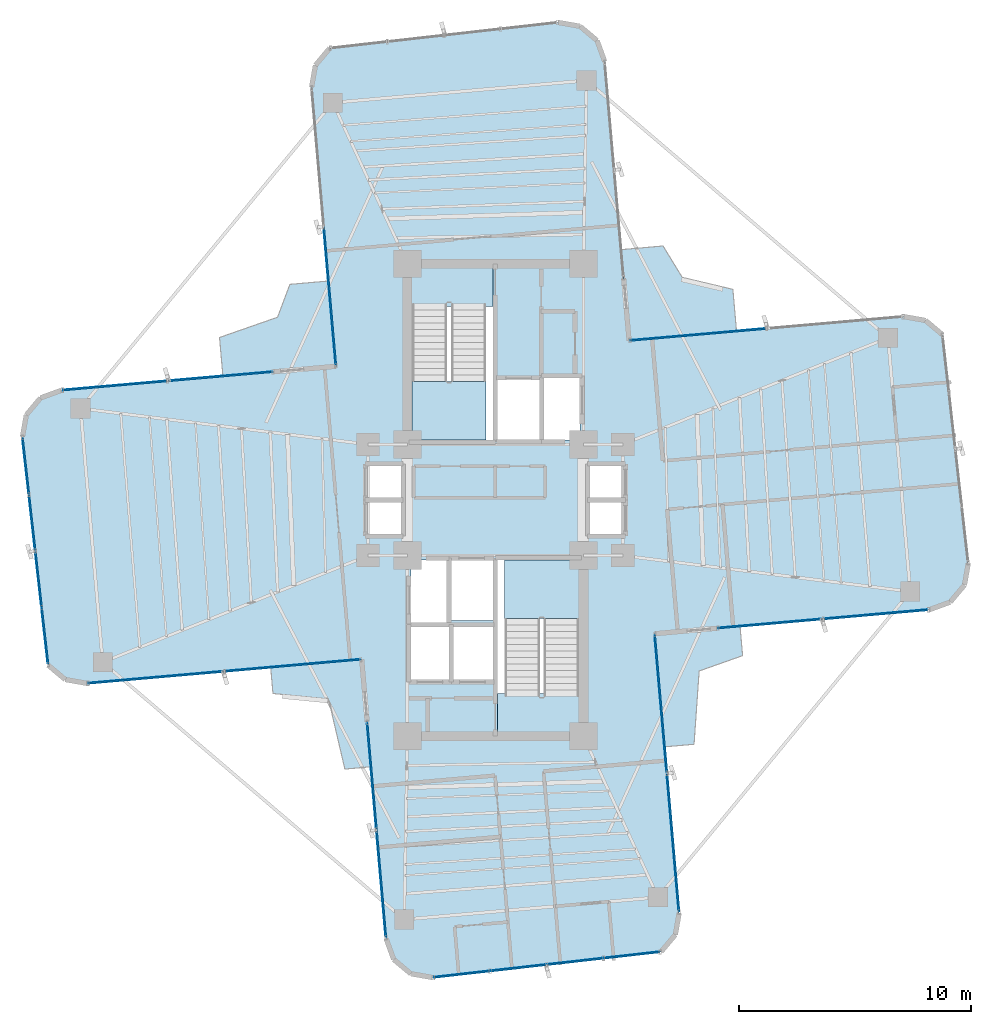
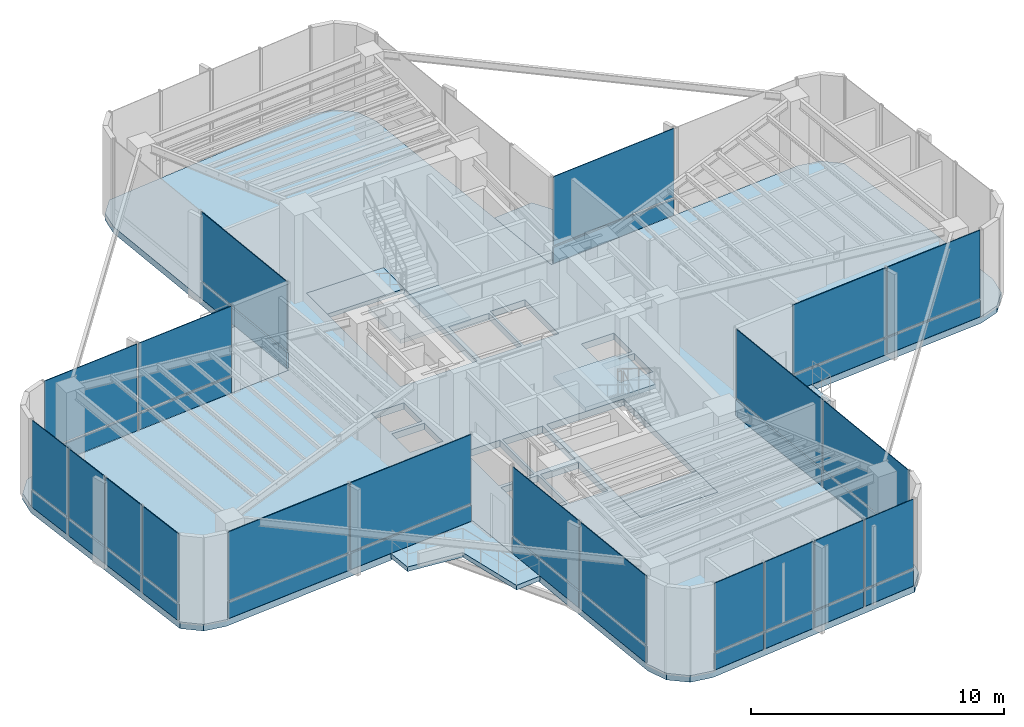
# One storey, part 13 of 19: 40 plates, 9 slabs, 11 elements without a shape of their own.
"""IFC4 building model written with IfcOpenShell, lengths in metres."""

from ifc_helpers import new_model, si_unit, direction, frame, origin, origin_2d, place, context, subcontext, project, spatial, polyline, rectangle, outline, extrude, source, transform, mapped, material, layer, layer_set, type_object, element, aggregate, save


model = new_model("IFC4")

# Units and contexts
model_context = context("Model", 3, precision=1e-05, world=origin(), true_north=direction((0.0, 1.0)))
body_context = subcontext(model_context, "Body", "Model", "MODEL_VIEW")
ifc_project = project(units=[si_unit("LENGTHUNIT", "METRE"), si_unit("AREAUNIT", "SQUARE_METRE"), si_unit("VOLUMEUNIT", "CUBIC_METRE"), si_unit("PLANEANGLEUNIT", "RADIAN"), si_unit("MASSUNIT", "GRAM", prefix="KILO")], contexts=[model_context])

# Site, building, storey
site_placement = place(None, origin())
site = spatial("IfcSite", under=ifc_project, at=site_placement, CompositionType="ELEMENT")
building_placement = place(site_placement, origin())
building = spatial("IfcBuilding", under=site, at=building_placement, Name="Sahyath Konkavel Grand Hotel", CompositionType="ELEMENT")
storey_placement = place(building_placement, frame((0.0, 0.0, 142.75)))
storey = spatial("IfcBuildingStorey", under=building, at=storey_placement, Name="L39", CompositionType="ELEMENT", Elevation=142.75)

# Slabs
ifc_material_1 = material(Name="Concrete C50/60", Category="concrete")
ifc_layer_1 = layer(ifc_material_1, 0.320068359375)
ifc_layer_set_1 = layer_set([ifc_layer_1], Name="Concrete C50/60")
slab_type_1 = type_object("IfcSlabType", Name="SLB-320", PredefinedType="FLOOR", material=ifc_layer_set_1)
slab_1_placement = place(storey_placement, frame((0.0, 0.0, -0.320068359375)))
element("IfcSlab", 1, at=slab_1_placement, inside=storey, type_object=slab_type_1, Name="L39 Structural Floor Slab", PredefinedType="FLOOR", context=body_context, shape_type="SweptSolid", body=[
    extrude(outline(polyline([(6.87939453125, -5.7724609375), (18.73388671875, -4.735107421875), (19.6337890625, -4.40771484375), (20.24951171875, -3.674072265625), (20.415771484375, -2.73095703125), (19.3037109375, 7.134521484375), (18.5703125, 7.75), (17.627197265625, 7.91650390625), (5.7724609375, 6.87939453125), (4.7177734375, 18.93310546875), (4.390380859375, 19.8330078125), (3.65673828125, 20.44873046875), (2.713623046875, 20.614990234375), (-7.152099609375, 19.5029296875), (-7.767578125, 18.769287109375), (-7.933837890625, 17.826416015625), (-6.87939453125, 5.7724609375), (-18.73388671875, 4.735107421875), (-19.6337890625, 4.40771484375), (-20.24951171875, 3.674072265625), (-20.415771484375, 2.73095703125), (-19.3037109375, -7.134521484375), (-18.5703125, -7.75), (-17.627197265625, -7.91650390625), (-5.7724609375, -6.87939453125), (-4.7177734375, -18.93310546875), (-4.390380859375, -19.8330078125), (-3.65673828125, -20.44873046875), (-2.713623046875, -20.614990234375), (7.152099609375, -19.5029296875), (7.767578125, -18.769287109375), (7.933837890625, -17.826416015625), (6.87939453125, -5.7724609375)]), holes=[polyline([(-3.6201171875, 2.580078125), (-0.10009765625, 2.580078125), (-0.10009765625, 10.02001953125), (-3.6201171875, 10.02001953125), (-3.6201171875, 2.580078125)]), polyline([(0.10009765625, -10.02001953125), (3.6201171875, -10.02001953125), (3.6201171875, -2.580078125), (0.10009765625, -2.580078125), (0.10009765625, -10.02001953125)]), polyline([(0.10009765625, 2.60009765625), (1.949951171875, 2.60009765625), (1.949951171875, 5.199951171875), (0.10009765625, 5.199951171875), (0.10009765625, 2.60009765625)]), polyline([(-1.949951171875, -5.199951171875), (-0.10009765625, -5.199951171875), (-0.10009765625, -2.60009765625), (-1.949951171875, -2.60009765625), (-1.949951171875, -5.199951171875)]), polyline([(2.050048828125, 2.60009765625), (3.64990234375, 2.60009765625), (3.64990234375, 5.300048828125), (2.050048828125, 5.300048828125), (2.050048828125, 2.60009765625)]), polyline([(-3.64990234375, -5.300048828125), (-2.050048828125, -5.300048828125), (-2.050048828125, -2.60009765625), (-3.64990234375, -2.60009765625), (-3.64990234375, -5.300048828125)]), polyline([(-3.64990234375, -7.75), (-1.949951171875, -7.75), (-1.949951171875, -5.449951171875), (-3.64990234375, -5.449951171875), (-3.64990234375, -7.75)]), polyline([(-1.85009765625, -7.75), (-0.10009765625, -7.75), (-0.10009765625, -5.449951171875), (-1.85009765625, -5.449951171875), (-1.85009765625, -7.75)]), polyline([(4.050048828125, 0.080078125), (5.550048828125, 0.080078125), (5.550048828125, 1.5400390625), (4.050048828125, 1.5400390625), (4.050048828125, 0.080078125)]), polyline([(4.050048828125, -1.5400390625), (5.550048828125, -1.5400390625), (5.550048828125, -0.080078125), (4.050048828125, -0.080078125), (4.050048828125, -1.5400390625)]), polyline([(-5.550048828125, 0.080078125), (-4.050048828125, 0.080078125), (-4.050048828125, 1.5400390625), (-5.550048828125, 1.5400390625), (-5.550048828125, 0.080078125)]), polyline([(-5.550048828125, -1.5400390625), (-4.050048828125, -1.5400390625), (-4.050048828125, -0.080078125), (-5.550048828125, -0.080078125), (-5.550048828125, -1.5400390625)])]), origin(), (0.0, 0.0, 1.0), 0.320068359375),
])
ifc_material_2 = material(Name="Concrete C40/50", Category="concrete")
ifc_layer_2 = layer(ifc_material_2, 0.219970703125)
ifc_layer_set_2 = layer_set([ifc_layer_2], Name="Concrete C40/50")
slab_type_2 = type_object("IfcSlabType", Name="SLB-BALCONY-220", PredefinedType="FLOOR", material=ifc_layer_set_2)
slab_2_placement = place(storey_placement, frame((0.0, 0.0, -0.219970703125)))
element("IfcSlab", 2, at=slab_2_placement, inside=storey, type_object=slab_type_2, Name="L39 Winter-Garden Balcony NE", PredefinedType="FLOOR", context=body_context, shape_type="SweptSolid", body=[
    extrude(outline(polyline([(5.7724609375, 6.87939453125), (10.41064453125, 7.28515625), (10.25244140625, 9.0947265625), (8.06591796875, 9.612548828125), (7.23828125, 10.966552734375), (5.4287109375, 10.808349609375), (5.7724609375, 6.87939453125)])), origin(), (0.0, 0.0, 1.0), 0.219970703125),
])
slab_3_placement = place(storey_placement, frame((0.0, 0.0, -0.219970703125)))
element("IfcSlab", 3, at=slab_3_placement, inside=storey, type_object=slab_type_2, Name="L39 Winter-Garden Balcony NW", PredefinedType="FLOOR", context=body_context, shape_type="SweptSolid", body=[
    extrude(outline(polyline([(-6.87939453125, 5.7724609375), (-7.201416015625, 9.455322265625), (-8.872802734375, 9.30908203125), (-9.403564453125, 7.890380859375), (-11.909912109375, 7.016357421875), (-11.763671875, 5.34521484375), (-6.87939453125, 5.7724609375)])), origin(), (0.0, 0.0, 1.0), 0.219970703125),
])
slab_4_placement = place(storey_placement, frame((0.0, 0.0, -0.219970703125)))
element("IfcSlab", 4, at=slab_4_placement, inside=storey, type_object=slab_type_2, Name="L39 Winter-Garden Balcony SW", PredefinedType="FLOOR", context=body_context, shape_type="SweptSolid", body=[
    extrude(outline(polyline([(-5.7724609375, -6.87939453125), (-9.701416015625, -7.222900390625), (-9.602294921875, -8.35400390625), (-7.2060546875, -8.587646484375), (-6.497802734375, -11.616455078125), (-5.36669921875, -11.517578125), (-5.7724609375, -6.87939453125)])), origin(), (0.0, 0.0, 1.0), 0.219970703125),
])
slab_5_placement = place(storey_placement, frame((0.0, 0.0, -0.219970703125)))
element("IfcSlab", 5, at=slab_5_placement, inside=storey, type_object=slab_type_2, Name="L39 Winter-Garden Balcony SE", PredefinedType="FLOOR", context=body_context, shape_type="SweptSolid", body=[
    extrude(outline(polyline([(6.87939453125, -5.7724609375), (7.306640625, -10.65673828125), (8.576171875, -10.545654296875), (8.796875, -7.38134765625), (10.67333984375, -6.7197265625), (10.562255859375, -5.4501953125), (6.87939453125, -5.7724609375)])), origin(), (0.0, 0.0, 1.0), 0.219970703125),
])

# Stair, slab
stair_type = type_object("IfcStairType", Name="STR-ST16-450", PredefinedType="HALF_TURN_STAIR", material=ifc_material_2)
stair_1_placement = place(storey_placement, origin())
stair_1 = element("IfcStair", 6, at=stair_1_placement, inside=storey, type_object=stair_type, Name="L39 North Core Smokeproof Exit Stair ST-1", PredefinedType="HALF_TURN_STAIR")
ifc_layer_3 = layer(ifc_material_2, 0.199951171875)
ifc_layer_set_3 = layer_set([ifc_layer_3], Name="Concrete C40/50")
slab_type_3 = type_object("IfcSlabType", Name="SLB-STAIR-LND", PredefinedType="LANDING", material=ifc_layer_set_3)
slab_6_placement = place(storey_placement, frame((0.0, 0.0, 2.050048828125)))
slab_6 = element("IfcSlab", 7, at=slab_6_placement, type_object=slab_type_3, Name="ST-1 landing 1", PredefinedType="LANDING", context=body_context, shape_type="SweptSolid", body=[
    extrude(outline(polyline([(-3.60009765625, 5.1201171875), (-3.60009765625, 2.60009765625), (-0.39990234375, 2.60009765625), (-0.39990234375, 5.1201171875), (-3.60009765625, 5.1201171875)])), origin(), (0.0, 0.0, 1.0), 0.199951171875),
])
aggregate(stair_1, [slab_6])

stair_2_placement = place(storey_placement, origin())
stair_2 = element("IfcStair", 8, at=stair_2_placement, inside=storey, type_object=stair_type, Name="L39 South Core Smokeproof Exit Stair ST-2", PredefinedType="HALF_TURN_STAIR")
slab_7_placement = place(storey_placement, frame((0.0, 0.0, 2.050048828125)))
slab_7 = element("IfcSlab", 9, at=slab_7_placement, type_object=slab_type_3, Name="ST-2 landing 1", PredefinedType="LANDING", context=body_context, shape_type="SweptSolid", body=[
    extrude(outline(polyline([(3.60009765625, -5.1201171875), (3.60009765625, -2.60009765625), (0.39990234375, -2.60009765625), (0.39990234375, -5.1201171875), (3.60009765625, -5.1201171875)])), origin(), (0.0, 0.0, 1.0), 0.199951171875),
])
aggregate(stair_2, [slab_7])

# Slabs
slab_8_placement = place(storey_placement, frame((0.0, 0.0, -0.199951171875)))
element("IfcSlab", 10, at=slab_8_placement, inside=storey, type_object=slab_type_3, Name="L39 Stair ST-1 Floor Landing Slab", PredefinedType="LANDING", context=body_context, shape_type="SweptSolid", body=[
    extrude(outline(polyline([(-3.6201171875, 8.35009765625), (-0.10009765625, 8.35009765625), (-0.10009765625, 10.02001953125), (-3.6201171875, 10.02001953125), (-3.6201171875, 8.35009765625)])), origin(), (0.0, 0.0, 1.0), 0.199951171875),
])
slab_9_placement = place(storey_placement, frame((0.0, 0.0, -0.199951171875)))
element("IfcSlab", 11, at=slab_9_placement, inside=storey, type_object=slab_type_3, Name="L39 Stair ST-2 Floor Landing Slab", PredefinedType="LANDING", context=body_context, shape_type="SweptSolid", body=[
    extrude(outline(polyline([(0.10009765625, -10.02001953125), (3.6201171875, -10.02001953125), (3.6201171875, -8.35009765625), (0.10009765625, -8.35009765625), (0.10009765625, -10.02001953125)])), origin(), (0.0, 0.0, 1.0), 0.199951171875),
])

# Curtain wall, plates
ifc_material_3 = material(Name="Anodised Bronze Aluminium & Low-E Glazing", Category="aluminium")
curtain_wall_type = type_object("IfcCurtainWallType", Name="CW-SKYLOBBY", PredefinedType="NOTDEFINED", material=ifc_material_3)
curtain_wall_1_placement = place(storey_placement, origin())
curtain_wall_1 = element("IfcCurtainWall", 12, at=curtain_wall_1_placement, inside=storey, type_object=curtain_wall_type, Name="L39 Unitised Curtain Wall F0", PredefinedType="NOTDEFINED")
ifc_material_4 = material(Name="Warm Buff Sandstone Cladding", Category="masonry")
ifc_layer_4 = layer(ifc_material_4, 0.074951171875)
ifc_layer_set_4 = layer_set([ifc_layer_4], Name="Warm Buff Sandstone Cladding")
plate_type_1 = type_object("IfcPlateType", Name="PNL-SPANDREL-STONE", PredefinedType="SHEET", material=ifc_layer_set_4)
shared_shape_1 = source(origin(), body_context, "Body", "SweptSolid", [
    extrude(rectangle(XDim=4.47998046875, YDim=0.074951171875, at=origin_2d()), origin(), (0.0, 0.0, 1.0), 0.77001953125),
])
plate_1_placement = place(storey_placement, frame((11.880126953125, -5.334716796875, 0.0400390625), z_axis=(0.0, 0.0, 1.0), x_axis=(0.996194698092, 0.087155742748, 0.0)))
plate_1 = element("IfcPlate", 13, at=plate_1_placement, type_object=plate_type_1, Name="L39 Sandstone Relief Spandrel Panel F0-0", PredefinedType="SHEET", context=body_context, shape_type="MappedRepresentation", body=[
    mapped(shared_shape_1, transform((0.0, 0.0, 0.0), scale=1.0)),
])
plate_2_placement = place(storey_placement, frame((16.4228515625, -4.9375, 0.0400390625), z_axis=(0.0, 0.0, 1.0), x_axis=(0.996194698092, 0.087155742748, 0.0)))
plate_2 = element("IfcPlate", 14, at=plate_2_placement, type_object=plate_type_1, Name="L39 Sandstone Relief Spandrel Panel F0-1", PredefinedType="SHEET", context=body_context, shape_type="MappedRepresentation", body=[
    mapped(shared_shape_1, transform((0.0, 0.0, 0.0), scale=1.0)),
])

curtain_wall_2_placement = place(storey_placement, origin())
curtain_wall_2 = element("IfcCurtainWall", 15, at=curtain_wall_2_placement, inside=storey, type_object=curtain_wall_type, Name="L39 Unitised Curtain Wall F16", PredefinedType="NOTDEFINED")
plate_3_placement = place(storey_placement, frame((-11.880126953125, 5.334716796875, 0.0400390625), z_axis=(0.0, 0.0, 1.0), x_axis=(-0.996194698092, -0.087155742748, 0.0)))
plate_3 = element("IfcPlate", 16, at=plate_3_placement, type_object=plate_type_1, Name="L39 Sandstone Relief Spandrel Panel F16-0", PredefinedType="SHEET", context=body_context, shape_type="MappedRepresentation", body=[
    mapped(shared_shape_1, transform((0.0, 0.0, 0.0), scale=1.0)),
])
plate_4_placement = place(storey_placement, frame((-16.4228515625, 4.9375, 0.0400390625), z_axis=(0.0, 0.0, 1.0), x_axis=(-0.996194698092, -0.087155742748, 0.0)))
plate_4 = element("IfcPlate", 17, at=plate_4_placement, type_object=plate_type_1, Name="L39 Sandstone Relief Spandrel Panel F16-1", PredefinedType="SHEET", context=body_context, shape_type="MappedRepresentation", body=[
    mapped(shared_shape_1, transform((0.0, 0.0, 0.0), scale=1.0)),
])

# Plate
ifc_material_5 = material(Name="Low-E Solar Control Double Glazing", Category="glass")
ifc_layer_5 = layer(ifc_material_5, 0.035888671875)
ifc_layer_set_5 = layer_set([ifc_layer_5], Name="Low-E Solar Control Double Glazing")
plate_type_2 = type_object("IfcPlateType", Name="PNL-VISION-LOWE", PredefinedType="CURTAIN_PANEL", material=ifc_layer_set_5)
shared_shape_2 = source(origin(), body_context, "Body", "SweptSolid", [
    extrude(rectangle(XDim=4.47998046875, YDim=0.035888671875, at=origin_2d()), origin(), (0.0, 0.0, 1.0), 3.330078125),
])
plate_5_placement = place(storey_placement, frame((11.880126953125, -5.334716796875, 0.889892578125), z_axis=(0.0, 0.0, 1.0), x_axis=(0.996194698092, 0.087155742748, 0.0)))
plate_5 = element("IfcPlate", 18, at=plate_5_placement, type_object=plate_type_2, Name="L39 Low-E Vision Glazing Panel F0-0", PredefinedType="CURTAIN_PANEL", context=body_context, shape_type="MappedRepresentation", body=[
    mapped(shared_shape_2, transform((0.0, 0.0, 0.0), scale=1.0)),
])

plate_6_placement = place(storey_placement, frame((16.4228515625, -4.9375, 0.889892578125), z_axis=(0.0, 0.0, 1.0), x_axis=(0.996194698092, 0.087155742748, 0.0)))
plate_6 = element("IfcPlate", 19, at=plate_6_placement, type_object=plate_type_2, Name="L39 Low-E Vision Glazing Panel F0-1", PredefinedType="CURTAIN_PANEL", context=body_context, shape_type="MappedRepresentation", body=[
    mapped(shared_shape_2, transform((0.0, 0.0, 0.0), scale=1.0)),
])

aggregate(curtain_wall_1, [plate_1, plate_5, plate_2, plate_6])

plate_7_placement = place(storey_placement, frame((-11.880126953125, 5.334716796875, 0.889892578125), z_axis=(0.0, 0.0, 1.0), x_axis=(-0.996194698092, -0.087155742748, 0.0)))
plate_7 = element("IfcPlate", 20, at=plate_7_placement, type_object=plate_type_2, Name="L39 Low-E Vision Glazing Panel F16-0", PredefinedType="CURTAIN_PANEL", context=body_context, shape_type="MappedRepresentation", body=[
    mapped(shared_shape_2, transform((0.0, 0.0, 0.0), scale=1.0)),
])

plate_8_placement = place(storey_placement, frame((-16.4228515625, 4.9375, 0.889892578125), z_axis=(0.0, 0.0, 1.0), x_axis=(-0.996194698092, -0.087155742748, 0.0)))
plate_8 = element("IfcPlate", 21, at=plate_8_placement, type_object=plate_type_2, Name="L39 Low-E Vision Glazing Panel F16-1", PredefinedType="CURTAIN_PANEL", context=body_context, shape_type="MappedRepresentation", body=[
    mapped(shared_shape_2, transform((0.0, 0.0, 0.0), scale=1.0)),
])

aggregate(curtain_wall_2, [plate_3, plate_7, plate_4, plate_8])

# Curtain wall, plates
curtain_wall_3_placement = place(storey_placement, origin())
curtain_wall_3 = element("IfcCurtainWall", 22, at=curtain_wall_3_placement, inside=storey, type_object=curtain_wall_type, Name="L39 Unitised Curtain Wall F20", PredefinedType="NOTDEFINED")
shared_shape_3 = source(origin(), body_context, "Body", "SweptSolid", [
    extrude(rectangle(XDim=2.382080078125, YDim=0.074951171875, at=origin_2d()), origin(), (0.0, 0.0, 1.0), 0.77001953125),
])
plate_9_placement = place(storey_placement, frame((-20.2734375, 1.468017578125, 0.0400390625), z_axis=(0.0, 0.0, 1.0), x_axis=(0.111989252568, -0.993709417943, 0.0)))
plate_9 = element("IfcPlate", 23, at=plate_9_placement, type_object=plate_type_1, Name="L39 Sandstone Relief Spandrel Panel F20-0", PredefinedType="SHEET", context=body_context, shape_type="MappedRepresentation", body=[
    mapped(shared_shape_3, transform((0.0, 0.0, 0.0), scale=1.0)),
])
plate_10_placement = place(storey_placement, frame((-19.99755859375, -0.978515625, 0.0400390625), z_axis=(0.0, 0.0, 1.0), x_axis=(0.111989252568, -0.993709417943, 0.0)))
plate_10 = element("IfcPlate", 24, at=plate_10_placement, type_object=plate_type_1, Name="L39 Sandstone Relief Spandrel Panel F20-1", PredefinedType="SHEET", context=body_context, shape_type="MappedRepresentation", body=[
    mapped(shared_shape_3, transform((0.0, 0.0, 0.0), scale=1.0)),
])
plate_11_placement = place(storey_placement, frame((-19.7216796875, -3.425048828125, 0.0400390625), z_axis=(0.0, 0.0, 1.0), x_axis=(0.111989252568, -0.993709417943, 0.0)))
plate_11 = element("IfcPlate", 25, at=plate_11_placement, type_object=plate_type_1, Name="L39 Sandstone Relief Spandrel Panel F20-2", PredefinedType="SHEET", context=body_context, shape_type="MappedRepresentation", body=[
    mapped(shared_shape_3, transform((0.0, 0.0, 0.0), scale=1.0)),
])
plate_12_placement = place(storey_placement, frame((-19.446044921875, -5.87158203125, 0.0400390625), z_axis=(0.0, 0.0, 1.0), x_axis=(0.111989252568, -0.993709417943, 0.0)))
plate_12 = element("IfcPlate", 26, at=plate_12_placement, type_object=plate_type_1, Name="L39 Sandstone Relief Spandrel Panel F20-3", PredefinedType="SHEET", context=body_context, shape_type="MappedRepresentation", body=[
    mapped(shared_shape_3, transform((0.0, 0.0, 0.0), scale=1.0)),
])

curtain_wall_4_placement = place(storey_placement, origin())
curtain_wall_4 = element("IfcCurtainWall", 27, at=curtain_wall_4_placement, inside=storey, type_object=curtain_wall_type, Name="L39 Unitised Curtain Wall F28", PredefinedType="NOTDEFINED")
plate_13_placement = place(storey_placement, frame((-1.45068359375, -20.47265625, 0.0400390625), z_axis=(0.0, 0.0, 1.0), x_axis=(0.993707463211, 0.112006596052, 0.0)))
plate_13 = element("IfcPlate", 28, at=plate_13_placement, type_object=plate_type_1, Name="L39 Sandstone Relief Spandrel Panel F28-0", PredefinedType="SHEET", context=body_context, shape_type="MappedRepresentation", body=[
    mapped(shared_shape_3, transform((0.0, 0.0, 0.0), scale=1.0)),
])
plate_14_placement = place(storey_placement, frame((0.995849609375, -20.197021484375, 0.0400390625), z_axis=(0.0, 0.0, 1.0), x_axis=(0.993707463211, 0.112006596052, 0.0)))
plate_14 = element("IfcPlate", 29, at=plate_14_placement, type_object=plate_type_1, Name="L39 Sandstone Relief Spandrel Panel F28-1", PredefinedType="SHEET", context=body_context, shape_type="MappedRepresentation", body=[
    mapped(shared_shape_3, transform((0.0, 0.0, 0.0), scale=1.0)),
])
plate_15_placement = place(storey_placement, frame((3.4423828125, -19.921142578125, 0.0400390625), z_axis=(0.0, 0.0, 1.0), x_axis=(0.993707463211, 0.112006596052, 0.0)))
plate_15 = element("IfcPlate", 30, at=plate_15_placement, type_object=plate_type_1, Name="L39 Sandstone Relief Spandrel Panel F28-2", PredefinedType="SHEET", context=body_context, shape_type="MappedRepresentation", body=[
    mapped(shared_shape_3, transform((0.0, 0.0, 0.0), scale=1.0)),
])
plate_16_placement = place(storey_placement, frame((5.888916015625, -19.6455078125, 0.0400390625), z_axis=(0.0, 0.0, 1.0), x_axis=(0.993707463211, 0.112006596052, 0.0)))
plate_16 = element("IfcPlate", 31, at=plate_16_placement, type_object=plate_type_1, Name="L39 Sandstone Relief Spandrel Panel F28-3", PredefinedType="SHEET", context=body_context, shape_type="MappedRepresentation", body=[
    mapped(shared_shape_3, transform((0.0, 0.0, 0.0), scale=1.0)),
])

# Plate
shared_shape_4 = source(origin(), body_context, "Body", "SweptSolid", [
    extrude(rectangle(XDim=2.382080078125, YDim=0.035888671875, at=origin_2d()), origin(), (0.0, 0.0, 1.0), 3.330078125),
])
plate_17_placement = place(storey_placement, frame((-20.2734375, 1.468017578125, 0.889892578125), z_axis=(0.0, 0.0, 1.0), x_axis=(0.111989252568, -0.993709417943, 0.0)))
plate_17 = element("IfcPlate", 32, at=plate_17_placement, type_object=plate_type_2, Name="L39 Low-E Vision Glazing Panel F20-0", PredefinedType="CURTAIN_PANEL", context=body_context, shape_type="MappedRepresentation", body=[
    mapped(shared_shape_4, transform((0.0, 0.0, 0.0), scale=1.0)),
])

plate_18_placement = place(storey_placement, frame((-19.99755859375, -0.978515625, 0.889892578125), z_axis=(0.0, 0.0, 1.0), x_axis=(0.111989252568, -0.993709417943, 0.0)))
plate_18 = element("IfcPlate", 33, at=plate_18_placement, type_object=plate_type_2, Name="L39 Low-E Vision Glazing Panel F20-1", PredefinedType="CURTAIN_PANEL", context=body_context, shape_type="MappedRepresentation", body=[
    mapped(shared_shape_4, transform((0.0, 0.0, 0.0), scale=1.0)),
])

plate_19_placement = place(storey_placement, frame((-19.7216796875, -3.425048828125, 0.889892578125), z_axis=(0.0, 0.0, 1.0), x_axis=(0.111989252568, -0.993709417943, 0.0)))
plate_19 = element("IfcPlate", 34, at=plate_19_placement, type_object=plate_type_2, Name="L39 Low-E Vision Glazing Panel F20-2", PredefinedType="CURTAIN_PANEL", context=body_context, shape_type="MappedRepresentation", body=[
    mapped(shared_shape_4, transform((0.0, 0.0, 0.0), scale=1.0)),
])

plate_20_placement = place(storey_placement, frame((-19.446044921875, -5.87158203125, 0.889892578125), z_axis=(0.0, 0.0, 1.0), x_axis=(0.111989252568, -0.993709417943, 0.0)))
plate_20 = element("IfcPlate", 35, at=plate_20_placement, type_object=plate_type_2, Name="L39 Low-E Vision Glazing Panel F20-3", PredefinedType="CURTAIN_PANEL", context=body_context, shape_type="MappedRepresentation", body=[
    mapped(shared_shape_4, transform((0.0, 0.0, 0.0), scale=1.0)),
])

aggregate(curtain_wall_3, [plate_9, plate_17, plate_10, plate_18, plate_11, plate_19, plate_12, plate_20])

plate_21_placement = place(storey_placement, frame((-1.45068359375, -20.47265625, 0.889892578125), z_axis=(0.0, 0.0, 1.0), x_axis=(0.993707463211, 0.112006596052, 0.0)))
plate_21 = element("IfcPlate", 36, at=plate_21_placement, type_object=plate_type_2, Name="L39 Low-E Vision Glazing Panel F28-0", PredefinedType="CURTAIN_PANEL", context=body_context, shape_type="MappedRepresentation", body=[
    mapped(shared_shape_4, transform((0.0, 0.0, 0.0), scale=1.0)),
])

plate_22_placement = place(storey_placement, frame((0.995849609375, -20.197021484375, 0.889892578125), z_axis=(0.0, 0.0, 1.0), x_axis=(0.993707463211, 0.112006596052, 0.0)))
plate_22 = element("IfcPlate", 37, at=plate_22_placement, type_object=plate_type_2, Name="L39 Low-E Vision Glazing Panel F28-1", PredefinedType="CURTAIN_PANEL", context=body_context, shape_type="MappedRepresentation", body=[
    mapped(shared_shape_4, transform((0.0, 0.0, 0.0), scale=1.0)),
])

plate_23_placement = place(storey_placement, frame((3.4423828125, -19.921142578125, 0.889892578125), z_axis=(0.0, 0.0, 1.0), x_axis=(0.993707463211, 0.112006596052, 0.0)))
plate_23 = element("IfcPlate", 38, at=plate_23_placement, type_object=plate_type_2, Name="L39 Low-E Vision Glazing Panel F28-2", PredefinedType="CURTAIN_PANEL", context=body_context, shape_type="MappedRepresentation", body=[
    mapped(shared_shape_4, transform((0.0, 0.0, 0.0), scale=1.0)),
])

plate_24_placement = place(storey_placement, frame((5.888916015625, -19.6455078125, 0.889892578125), z_axis=(0.0, 0.0, 1.0), x_axis=(0.993707463211, 0.112006596052, 0.0)))
plate_24 = element("IfcPlate", 39, at=plate_24_placement, type_object=plate_type_2, Name="L39 Low-E Vision Glazing Panel F28-3", PredefinedType="CURTAIN_PANEL", context=body_context, shape_type="MappedRepresentation", body=[
    mapped(shared_shape_4, transform((0.0, 0.0, 0.0), scale=1.0)),
])

aggregate(curtain_wall_4, [plate_13, plate_21, plate_14, plate_22, plate_15, plate_23, plate_16, plate_24])

# Curtain wall, plate
curtain_wall_5_placement = place(storey_placement, origin())
curtain_wall_5 = element("IfcCurtainWall", 40, at=curtain_wall_5_placement, inside=storey, type_object=curtain_wall_type, Name="L39 Unitised Curtain Wall F7", PredefinedType="NOTDEFINED")
shared_shape_5 = source(origin(), body_context, "Body", "SweptSolid", [
    extrude(rectangle(XDim=5.830078125, YDim=0.074951171875, at=origin_2d()), origin(), (0.0, 0.0, 1.0), 0.77001953125),
])
plate_25_placement = place(storey_placement, frame((8.756103515625, 7.140380859375, 0.0400390625), z_axis=(0.0, 0.0, 1.0), x_axis=(-0.996194698092, -0.087155742748, 0.0)))
plate_25 = element("IfcPlate", 41, at=plate_25_placement, type_object=plate_type_1, Name="L39 Sandstone Relief Spandrel Panel F7-1", PredefinedType="SHEET", context=body_context, shape_type="MappedRepresentation", body=[
    mapped(shared_shape_5, transform((0.0, 0.0, 0.0), scale=1.0)),
])

# Curtain wall, plates
curtain_wall_6_placement = place(storey_placement, origin())
curtain_wall_6 = element("IfcCurtainWall", 42, at=curtain_wall_6_placement, inside=storey, type_object=curtain_wall_type, Name="L39 Unitised Curtain Wall F23", PredefinedType="NOTDEFINED")
plate_26_placement = place(storey_placement, frame((-14.6435546875, -7.655517578125, 0.0400390625), z_axis=(0.0, 0.0, 1.0), x_axis=(0.996194698092, 0.087155742748, 0.0)))
plate_26 = element("IfcPlate", 43, at=plate_26_placement, type_object=plate_type_1, Name="L39 Sandstone Relief Spandrel Panel F23-0", PredefinedType="SHEET", context=body_context, shape_type="MappedRepresentation", body=[
    mapped(shared_shape_5, transform((0.0, 0.0, 0.0), scale=1.0)),
])
plate_27_placement = place(storey_placement, frame((-8.756103515625, -7.140380859375, 0.0400390625), z_axis=(0.0, 0.0, 1.0), x_axis=(0.996194698092, 0.087155742748, 0.0)))
plate_27 = element("IfcPlate", 44, at=plate_27_placement, type_object=plate_type_1, Name="L39 Sandstone Relief Spandrel Panel F23-1", PredefinedType="SHEET", context=body_context, shape_type="MappedRepresentation", body=[
    mapped(shared_shape_5, transform((0.0, 0.0, 0.0), scale=1.0)),
])

# Plate
shared_shape_6 = source(origin(), body_context, "Body", "SweptSolid", [
    extrude(rectangle(XDim=5.830078125, YDim=0.035888671875, at=origin_2d()), origin(), (0.0, 0.0, 1.0), 3.330078125),
])
plate_28_placement = place(storey_placement, frame((8.756103515625, 7.140380859375, 0.889892578125), z_axis=(0.0, 0.0, 1.0), x_axis=(-0.996194698092, -0.087155742748, 0.0)))
plate_28 = element("IfcPlate", 45, at=plate_28_placement, type_object=plate_type_2, Name="L39 Low-E Vision Glazing Panel F7-1", PredefinedType="CURTAIN_PANEL", context=body_context, shape_type="MappedRepresentation", body=[
    mapped(shared_shape_6, transform((0.0, 0.0, 0.0), scale=1.0)),
])

aggregate(curtain_wall_5, [plate_25, plate_28])

plate_29_placement = place(storey_placement, frame((-14.6435546875, -7.655517578125, 0.889892578125), z_axis=(0.0, 0.0, 1.0), x_axis=(0.996194698092, 0.087155742748, 0.0)))
plate_29 = element("IfcPlate", 46, at=plate_29_placement, type_object=plate_type_2, Name="L39 Low-E Vision Glazing Panel F23-0", PredefinedType="CURTAIN_PANEL", context=body_context, shape_type="MappedRepresentation", body=[
    mapped(shared_shape_6, transform((0.0, 0.0, 0.0), scale=1.0)),
])

plate_30_placement = place(storey_placement, frame((-8.756103515625, -7.140380859375, 0.889892578125), z_axis=(0.0, 0.0, 1.0), x_axis=(0.996194698092, 0.087155742748, 0.0)))
plate_30 = element("IfcPlate", 47, at=plate_30_placement, type_object=plate_type_2, Name="L39 Low-E Vision Glazing Panel F23-1", PredefinedType="CURTAIN_PANEL", context=body_context, shape_type="MappedRepresentation", body=[
    mapped(shared_shape_6, transform((0.0, 0.0, 0.0), scale=1.0)),
])

aggregate(curtain_wall_6, [plate_26, plate_29, plate_27, plate_30])

# Curtain wall, plates
curtain_wall_7_placement = place(storey_placement, origin())
curtain_wall_7 = element("IfcCurtainWall", 48, at=curtain_wall_7_placement, inside=storey, type_object=curtain_wall_type, Name="L39 Unitised Curtain Wall F24", PredefinedType="NOTDEFINED")
shared_shape_7 = source(origin(), body_context, "Body", "SweptSolid", [
    extrude(rectangle(XDim=4.580078125, YDim=0.074951171875, at=origin_2d()), origin(), (0.0, 0.0, 1.0), 0.77001953125),
])
plate_31_placement = place(storey_placement, frame((-5.33056640625, -11.929931640625, 0.0400390625), z_axis=(0.0, 0.0, 1.0), x_axis=(0.087155742748, -0.996194698092, 0.0)))
plate_31 = element("IfcPlate", 49, at=plate_31_placement, type_object=plate_type_1, Name="L39 Sandstone Relief Spandrel Panel F24-0", PredefinedType="SHEET", context=body_context, shape_type="MappedRepresentation", body=[
    mapped(shared_shape_7, transform((0.0, 0.0, 0.0), scale=1.0)),
])
plate_32_placement = place(storey_placement, frame((-4.92431640625, -16.572265625, 0.0400390625), z_axis=(0.0, 0.0, 1.0), x_axis=(0.087155742748, -0.996194698092, 0.0)))
plate_32 = element("IfcPlate", 50, at=plate_32_placement, type_object=plate_type_1, Name="L39 Sandstone Relief Spandrel Panel F24-1", PredefinedType="SHEET", context=body_context, shape_type="MappedRepresentation", body=[
    mapped(shared_shape_7, transform((0.0, 0.0, 0.0), scale=1.0)),
])
shared_shape_8 = source(origin(), body_context, "Body", "SweptSolid", [
    extrude(rectangle(XDim=4.580078125, YDim=0.035888671875, at=origin_2d()), origin(), (0.0, 0.0, 1.0), 3.330078125),
])
plate_33_placement = place(storey_placement, frame((-5.33056640625, -11.929931640625, 0.889892578125), z_axis=(0.0, 0.0, 1.0), x_axis=(0.087155742748, -0.996194698092, 0.0)))
plate_33 = element("IfcPlate", 51, at=plate_33_placement, type_object=plate_type_2, Name="L39 Low-E Vision Glazing Panel F24-0", PredefinedType="CURTAIN_PANEL", context=body_context, shape_type="MappedRepresentation", body=[
    mapped(shared_shape_8, transform((0.0, 0.0, 0.0), scale=1.0)),
])
plate_34_placement = place(storey_placement, frame((-4.92431640625, -16.572265625, 0.889892578125), z_axis=(0.0, 0.0, 1.0), x_axis=(0.087155742748, -0.996194698092, 0.0)))
plate_34 = element("IfcPlate", 52, at=plate_34_placement, type_object=plate_type_2, Name="L39 Low-E Vision Glazing Panel F24-1", PredefinedType="CURTAIN_PANEL", context=body_context, shape_type="MappedRepresentation", body=[
    mapped(shared_shape_8, transform((0.0, 0.0, 0.0), scale=1.0)),
])
aggregate(curtain_wall_7, [plate_31, plate_33, plate_32, plate_34])

# Curtain wall, plate
curtain_wall_8_placement = place(storey_placement, origin())
curtain_wall_8 = element("IfcCurtainWall", 53, at=curtain_wall_8_placement, inside=storey, type_object=curtain_wall_type, Name="L39 Unitised Curtain Wall F15", PredefinedType="NOTDEFINED")
shared_shape_9 = source(origin(), body_context, "Body", "SweptSolid", [
    extrude(rectangle(XDim=5.929931640625, YDim=0.074951171875, at=origin_2d()), origin(), (0.0, 0.0, 1.0), 0.77001953125),
])
plate_35_placement = place(storey_placement, frame((-7.144775390625, 8.805908203125, 0.0400390625), z_axis=(0.0, 0.0, 1.0), x_axis=(0.087155742748, -0.996194698092, 0.0)))
plate_35 = element("IfcPlate", 54, at=plate_35_placement, type_object=plate_type_1, Name="L39 Sandstone Relief Spandrel Panel F15-1", PredefinedType="SHEET", context=body_context, shape_type="MappedRepresentation", body=[
    mapped(shared_shape_9, transform((0.0, 0.0, 0.0), scale=1.0)),
])

# Curtain wall, plates
curtain_wall_9_placement = place(storey_placement, origin())
curtain_wall_9 = element("IfcCurtainWall", 55, at=curtain_wall_9_placement, inside=storey, type_object=curtain_wall_type, Name="L39 Unitised Curtain Wall F31", PredefinedType="NOTDEFINED")
plate_36_placement = place(storey_placement, frame((7.66845703125, -14.79296875, 0.0400390625), z_axis=(0.0, 0.0, 1.0), x_axis=(-0.087155742748, 0.996194698092, 0.0)))
plate_36 = element("IfcPlate", 56, at=plate_36_placement, type_object=plate_type_1, Name="L39 Sandstone Relief Spandrel Panel F31-0", PredefinedType="SHEET", context=body_context, shape_type="MappedRepresentation", body=[
    mapped(shared_shape_9, transform((0.0, 0.0, 0.0), scale=1.0)),
])
plate_37_placement = place(storey_placement, frame((7.144775390625, -8.805908203125, 0.0400390625), z_axis=(0.0, 0.0, 1.0), x_axis=(-0.087155742748, 0.996194698092, 0.0)))
plate_37 = element("IfcPlate", 57, at=plate_37_placement, type_object=plate_type_1, Name="L39 Sandstone Relief Spandrel Panel F31-1", PredefinedType="SHEET", context=body_context, shape_type="MappedRepresentation", body=[
    mapped(shared_shape_9, transform((0.0, 0.0, 0.0), scale=1.0)),
])

# Plate
shared_shape_10 = source(origin(), body_context, "Body", "SweptSolid", [
    extrude(rectangle(XDim=5.929931640625, YDim=0.035888671875, at=origin_2d()), origin(), (0.0, 0.0, 1.0), 3.330078125),
])
plate_38_placement = place(storey_placement, frame((-7.144775390625, 8.805908203125, 0.889892578125), z_axis=(0.0, 0.0, 1.0), x_axis=(0.087155742748, -0.996194698092, 0.0)))
plate_38 = element("IfcPlate", 58, at=plate_38_placement, type_object=plate_type_2, Name="L39 Low-E Vision Glazing Panel F15-1", PredefinedType="CURTAIN_PANEL", context=body_context, shape_type="MappedRepresentation", body=[
    mapped(shared_shape_10, transform((0.0, 0.0, 0.0), scale=1.0)),
])

aggregate(curtain_wall_8, [plate_35, plate_38])

plate_39_placement = place(storey_placement, frame((7.66845703125, -14.79296875, 0.889892578125), z_axis=(0.0, 0.0, 1.0), x_axis=(-0.087155742748, 0.996194698092, 0.0)))
plate_39 = element("IfcPlate", 59, at=plate_39_placement, type_object=plate_type_2, Name="L39 Low-E Vision Glazing Panel F31-0", PredefinedType="CURTAIN_PANEL", context=body_context, shape_type="MappedRepresentation", body=[
    mapped(shared_shape_10, transform((0.0, 0.0, 0.0), scale=1.0)),
])

plate_40_placement = place(storey_placement, frame((7.144775390625, -8.805908203125, 0.889892578125), z_axis=(0.0, 0.0, 1.0), x_axis=(-0.087155742748, 0.996194698092, 0.0)))
plate_40 = element("IfcPlate", 60, at=plate_40_placement, type_object=plate_type_2, Name="L39 Low-E Vision Glazing Panel F31-1", PredefinedType="CURTAIN_PANEL", context=body_context, shape_type="MappedRepresentation", body=[
    mapped(shared_shape_10, transform((0.0, 0.0, 0.0), scale=1.0)),
])

aggregate(curtain_wall_9, [plate_36, plate_39, plate_37, plate_40])

save(model, "model.ifc")
